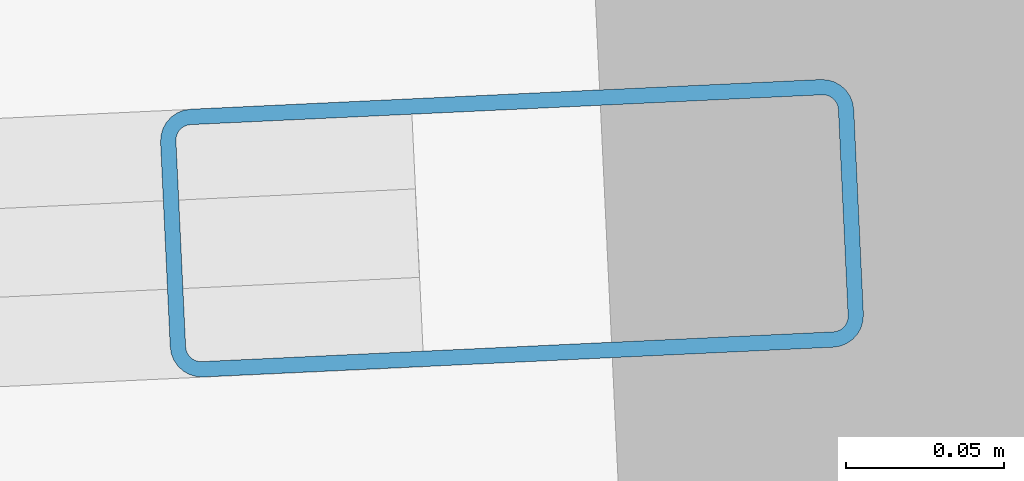
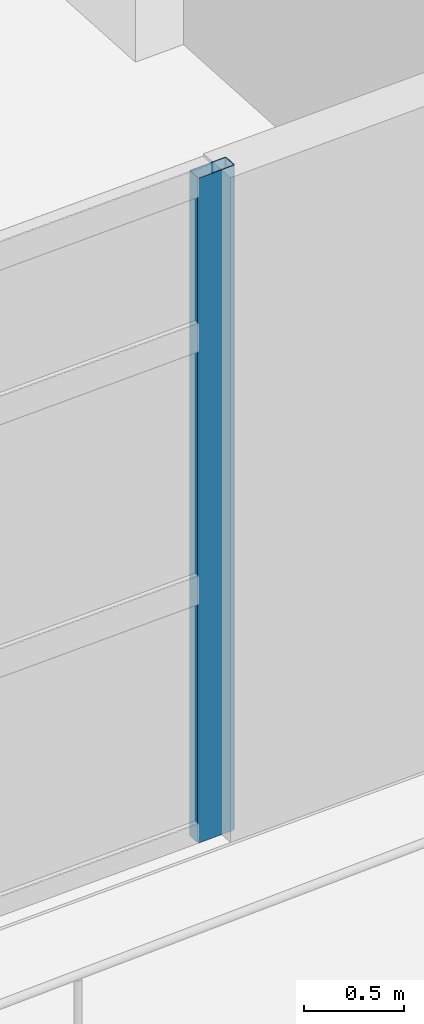
# One storey, part 5 of 22: 1 member, 1 element without a shape of its own.
"""IFC4 building model written with IfcOpenShell, lengths in metres."""

from ifc_helpers import new_model, si_unit, direction, frame, origin, origin_2d, place, context, subcontext, project, spatial, hollow_rectangle, extrude, material, layer, layer_set, material_profile, profile_set, type_object, element, aggregate, save


model = new_model("IFC4")

# Units and contexts
model_context = context("Model", 3, precision=1e-05, world=origin(), true_north=direction((0.0, 1.0)))
body_context = subcontext(model_context, "Body", "Model", "MODEL_VIEW")
ifc_project = project(units=[si_unit("LENGTHUNIT", "METRE"), si_unit("AREAUNIT", "SQUARE_METRE"), si_unit("VOLUMEUNIT", "CUBIC_METRE"), si_unit("PLANEANGLEUNIT", "RADIAN"), si_unit("MASSUNIT", "GRAM", prefix="KILO")], contexts=[model_context])

# Site, building, storey
site_placement = place(None, origin())
site = spatial("IfcSite", under=ifc_project, at=site_placement, CompositionType="ELEMENT")
building_placement = place(site_placement, origin())
building = spatial("IfcBuilding", under=site, at=building_placement, Name="Qingluan Cross Belvedere", CompositionType="ELEMENT")
storey_placement = place(building_placement, frame((0.0, 0.0, 294.0)))
storey = spatial("IfcBuildingStorey", under=building, at=storey_placement, Name="L73", CompositionType="ELEMENT", Elevation=294.0)

# Curtain wall, member
ifc_material_1 = material(Name="Thermally broken aluminium and Low-E glass", Category="aluminium")
ifc_layer = layer(ifc_material_1, 0.179931640625, Name="ObservationCW_DamperGallery")
ifc_layer_set = layer_set([ifc_layer], Name="Thermally broken aluminium and Low-E glass")
curtain_wall_type = type_object("IfcCurtainWallType", Name="ObservationCW_DamperGallery", PredefinedType="USERDEFINED", material=ifc_layer_set)
curtain_wall_placement = place(storey_placement, origin())
curtain_wall = element("IfcCurtainWall", 1, at=curtain_wall_placement, inside=storey, type_object=curtain_wall_type, Name="ObservationCW_DamperGallery run env:cw:L73:S", ObjectType="OBSERVATION GLAZING WALL", PredefinedType="USERDEFINED")
ifc_material_2 = material(Name="Aluminium alloy 6063-T6", Category="aluminium")
ifc_material_profile = material_profile(ifc_material_2, hollow_rectangle(XDim=0.0849609375, YDim=0.219970703125, WallThickness=0.0048828125, InnerFilletRadius=0.0048828125, OuterFilletRadius=0.010009765625, at=origin_2d()), Name="CWM220x85x5")
ifc_profile_set = profile_set([ifc_material_profile], Name="Aluminium alloy 6063-T6")
member_type = type_object("IfcMemberType", Name="CWMullion_220", PredefinedType="MULLION", material=ifc_profile_set)
member_placement = place(storey_placement, frame((3.9443359375, -27.424560546875, 0.0), z_axis=(0.0, 0.0, 1.0), x_axis=(-0.047125155464, 0.998888992693, 0.0)))
member = element("IfcMember", 2, at=member_placement, type_object=member_type, Name="CW-C1 mullion 4", PredefinedType="MULLION", context=body_context, shape_type="SweptSolid", body=[
    extrude(hollow_rectangle(XDim=0.0849609375, YDim=0.219970703125, WallThickness=0.0048828125, InnerFilletRadius=0.0048828125, OuterFilletRadius=0.010009765625, at=origin_2d()), origin(), (0.0, 0.0, 1.0), 4.06005859375),
])
aggregate(curtain_wall, [member])

save(model, "model.ifc")
